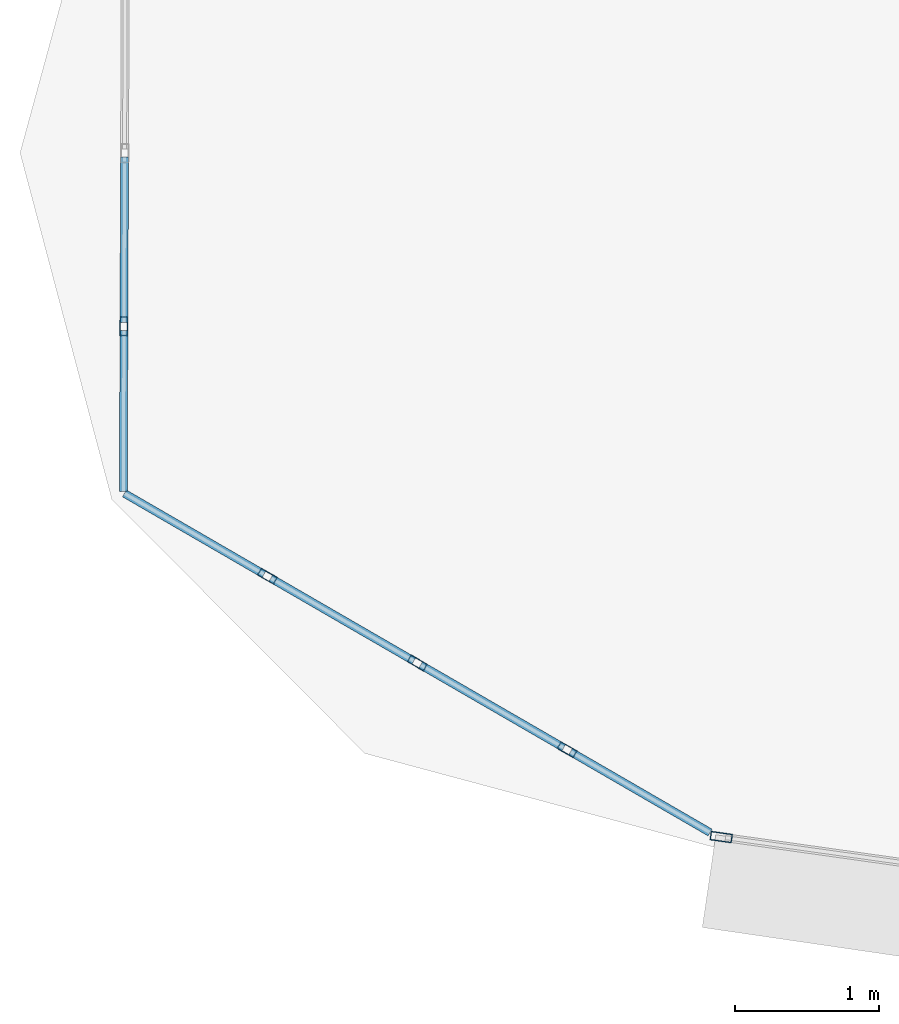
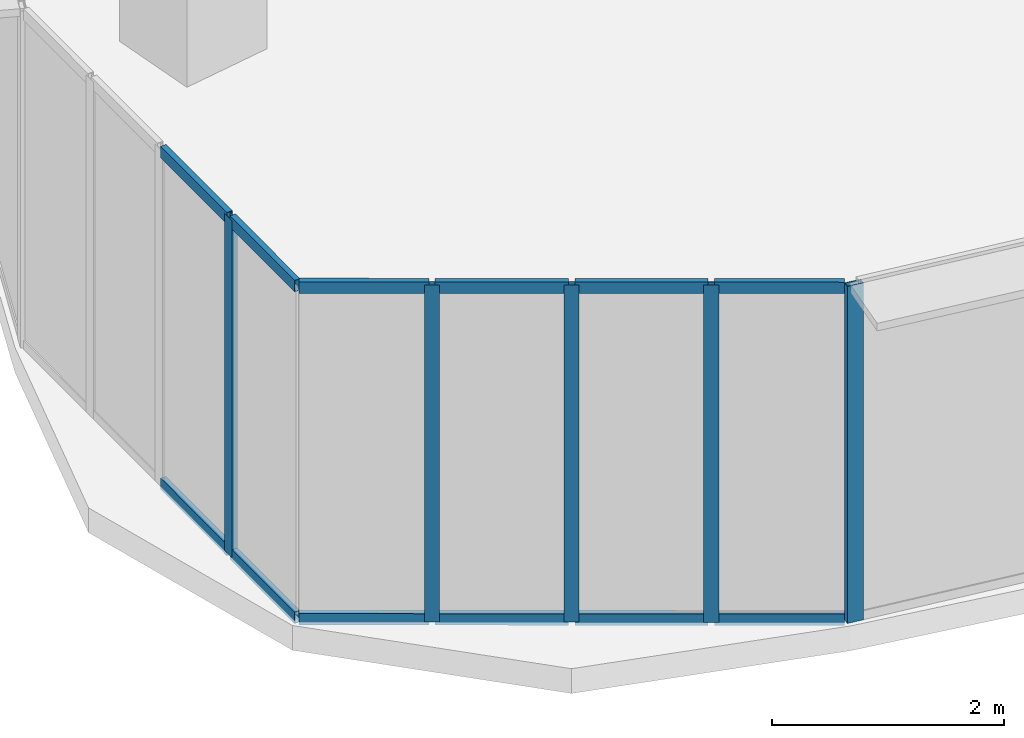
# One storey, part 2 of 40: 17 members, 3 elements without a shape of their own.
"""IFC4 building model written with IfcOpenShell, lengths in metres."""

from ifc_helpers import new_model, si_unit, direction, frame, origin, origin_2d, place, context, subcontext, project, spatial, hollow_rectangle, extrude, source, transform, mapped, material, layer, layer_set, material_profile, profile_set, type_object, element, aggregate, save


model = new_model("IFC4")

# Units and contexts
model_context = context("Model", 3, precision=1e-05, world=origin(), true_north=direction((0.0, 1.0)))
body_context = subcontext(model_context, "Body", "Model", "MODEL_VIEW")
ifc_project = project(units=[si_unit("LENGTHUNIT", "METRE"), si_unit("AREAUNIT", "SQUARE_METRE"), si_unit("VOLUMEUNIT", "CUBIC_METRE"), si_unit("PLANEANGLEUNIT", "RADIAN"), si_unit("MASSUNIT", "GRAM", prefix="KILO"), si_unit("THERMODYNAMICTEMPERATUREUNIT", "KELVIN"), si_unit("POWERUNIT", "WATT")], contexts=[model_context])

# Site, building, storey
site_placement = place(None, origin())
site = spatial("IfcSite", under=ifc_project, at=site_placement, CompositionType="ELEMENT")
building_placement = place(site_placement, origin())
building = spatial("IfcBuilding", under=site, at=building_placement, Name="Yunzhuo Pagoda Commons", CompositionType="ELEMENT")
storey_placement = place(building_placement, frame((0.0, 0.0, 180.9599609375)))
storey = spatial("IfcBuildingStorey", under=building, at=storey_placement, Name="L45", CompositionType="ELEMENT", Elevation=180.9599609375)

# Curtain wall, member
ifc_material = material(Name="Anodized aluminium 6063-T6", Category="aluminium")
ifc_layer_1 = layer(ifc_material, 0.1298828125)
ifc_layer_set_1 = layer_set([ifc_layer_1], Name="Anodized aluminium 6063-T6")
curtain_wall_type_1 = type_object("IfcCurtainWallType", Name="CW-VTX Rounded Corner Curtain Wall", PredefinedType="NOTDEFINED", material=ifc_layer_set_1)
curtain_wall_1_placement = place(storey_placement, origin())
curtain_wall_1 = element("IfcCurtainWall", 1, at=curtain_wall_1_placement, inside=storey, type_object=curtain_wall_type_1, Name="L45 curtain wall CW-L45-VTX1S1", PredefinedType="NOTDEFINED")
ifc_material_profile_1 = material_profile(ifc_material, hollow_rectangle(XDim=0.054931640625, YDim=0.1298828125, WallThickness=0.00341796875, at=origin_2d()), Name="Anodized aluminium 6063-T6")
ifc_profile_set_1 = profile_set([ifc_material_profile_1], Name="Anodized aluminium 6063-T6")
member_type_1 = type_object("IfcMemberType", Name="CW-VTX-M Mullion RHS 130x55x3.5", PredefinedType="MULLION", material=ifc_profile_set_1)
shared_shape_1 = source(origin(), body_context, "Body", "SweptSolid", [
    extrude(hollow_rectangle(XDim=0.054931640625, YDim=0.1298828125, WallThickness=0.00341796875, at=origin_2d()), origin(), (0.0, 0.0, 1.0), 3.5400390625),
])
member_1_placement = place(storey_placement, frame((9.262451171875, 20.725830078125, 0.0), z_axis=(0.0, 0.0, 1.0), x_axis=(0.99999359061, -0.003580326762, 0.0)))
member_1 = element("IfcMember", 2, at=member_1_placement, type_object=member_type_1, Name="CW mullion 4", PredefinedType="MULLION", context=body_context, shape_type="MappedRepresentation", body=[
    mapped(shared_shape_1, transform((0.0, 0.0, 0.0), scale=1.0)),
])

# Curtain wall, members
curtain_wall_2_placement = place(storey_placement, origin())
curtain_wall_2 = element("IfcCurtainWall", 3, at=curtain_wall_2_placement, inside=storey, type_object=curtain_wall_type_1, Name="L45 curtain wall CW-L45-VTX1S2", PredefinedType="NOTDEFINED")
member_2_placement = place(storey_placement, frame((10.257568359375, 18.99267578125, 0.0), z_axis=(0.0, 0.0, 1.0), x_axis=(0.501040373263, 0.865423910208, 0.0)))
member_2 = element("IfcMember", 4, at=member_2_placement, type_object=member_type_1, Name="CW mullion 2", PredefinedType="MULLION", context=body_context, shape_type="MappedRepresentation", body=[
    mapped(shared_shape_1, transform((0.0, 0.0, 0.0), scale=1.0)),
])
member_3_placement = place(storey_placement, frame((11.297119140625, 18.390869140625, 0.0), z_axis=(0.0, 0.0, 1.0), x_axis=(0.501040373263, 0.865423910208, 0.0)))
member_3 = element("IfcMember", 5, at=member_3_placement, type_object=member_type_1, Name="CW mullion 3", PredefinedType="MULLION", context=body_context, shape_type="MappedRepresentation", body=[
    mapped(shared_shape_1, transform((0.0, 0.0, 0.0), scale=1.0)),
])
member_4_placement = place(storey_placement, frame((12.33642578125, 17.789306640625, 0.0), z_axis=(0.0, 0.0, 1.0), x_axis=(0.501040373263, 0.865423910208, 0.0)))
member_4 = element("IfcMember", 6, at=member_4_placement, type_object=member_type_1, Name="CW mullion 4", PredefinedType="MULLION", context=body_context, shape_type="MappedRepresentation", body=[
    mapped(shared_shape_1, transform((0.0, 0.0, 0.0), scale=1.0)),
])

# Curtain wall, member
ifc_layer_2 = layer(ifc_material, 0.14990234375)
ifc_layer_set_2 = layer_set([ifc_layer_2], Name="Anodized aluminium 6063-T6")
curtain_wall_type_2 = type_object("IfcCurtainWallType", Name="CW-MID Mid-Zone Ribbon Curtain Wall", PredefinedType="NOTDEFINED", material=ifc_layer_set_2)
curtain_wall_3_placement = place(storey_placement, origin())
curtain_wall_3 = element("IfcCurtainWall", 7, at=curtain_wall_3_placement, inside=storey, type_object=curtain_wall_type_2, Name="L45 curtain wall CW-L45-F1B1", PredefinedType="NOTDEFINED")
ifc_material_profile_2 = material_profile(ifc_material, hollow_rectangle(XDim=0.06005859375, YDim=0.14990234375, WallThickness=0.00390625, at=origin_2d()), Name="Anodized aluminium 6063-T6")
ifc_profile_set_2 = profile_set([ifc_material_profile_2], Name="Anodized aluminium 6063-T6")
member_type_2 = type_object("IfcMemberType", Name="CW-MID-M Mullion RHS 150x60x4", PredefinedType="MULLION", material=ifc_profile_set_2)
shared_shape_2 = source(origin(), body_context, "Body", "SweptSolid", [
    extrude(hollow_rectangle(XDim=0.06005859375, YDim=0.14990234375, WallThickness=0.00390625, at=origin_2d()), origin(), (0.0, 0.0, 1.0), 3.5400390625),
])
member_5_placement = place(storey_placement, frame((13.405517578125, 17.183349609375, 0.0), z_axis=(0.0, 0.0, 1.0), x_axis=(0.139233100351, 0.990259634524, 0.0)))
member_5 = element("IfcMember", 8, at=member_5_placement, type_object=member_type_2, Name="CW mullion 1", PredefinedType="MULLION", context=body_context, shape_type="MappedRepresentation", body=[
    mapped(shared_shape_2, transform((0.0, 0.0, 0.0), scale=1.0)),
])
aggregate(curtain_wall_3, [member_5])

# Member
ifc_material_profile_3 = material_profile(ifc_material, hollow_rectangle(XDim=0.054931640625, YDim=0.1201171875, WallThickness=0.00341796875, at=origin_2d()), Name="Anodized aluminium 6063-T6")
ifc_profile_set_3 = profile_set([ifc_material_profile_3], Name="Anodized aluminium 6063-T6")
member_type_3 = type_object("IfcMemberType", Name="CW-VTX-T Transom RHS 120x55x3.5", PredefinedType="USERDEFINED", material=ifc_profile_set_3)
shared_shape_3 = source(origin(), body_context, "Body", "SweptSolid", [
    extrude(hollow_rectangle(XDim=0.054931640625, YDim=0.1201171875, WallThickness=0.00341796875, at=origin_2d()), origin(), (0.0, 0.0, 1.0), 1.14599609375),
])
member_6_placement = place(storey_placement, frame((9.2666015625, 21.8994140625, 0.027587890625), z_axis=(-0.003408586931, -0.999994190751, 0.0), x_axis=(0.999994190751, -0.003408586931, 0.0)))
member_6 = element("IfcMember", 9, at=member_6_placement, type_object=member_type_3, Name="CW transom 3.1", ObjectType="TRANSOM", PredefinedType="USERDEFINED", context=body_context, shape_type="MappedRepresentation", body=[
    mapped(shared_shape_3, transform((0.0, 0.0, 0.0), scale=1.0)),
])

member_7_placement = place(storey_placement, frame((9.2666015625, 21.8994140625, 3.512451171875), z_axis=(-0.003408586931, -0.999994190751, 0.0), x_axis=(0.999994190751, -0.003408586931, 0.0)))
member_7 = element("IfcMember", 10, at=member_7_placement, type_object=member_type_3, Name="CW transom 3.2", ObjectType="TRANSOM", PredefinedType="USERDEFINED", context=body_context, shape_type="MappedRepresentation", body=[
    mapped(shared_shape_3, transform((0.0, 0.0, 0.0), scale=1.0)),
])

member_8_placement = place(storey_placement, frame((11.32080078125, 18.377197265625, 0.027587890625), z_axis=(0.865542942623, -0.500834717722, 0.0), x_axis=(0.500834717722, 0.865542942623, 0.0)))
member_8 = element("IfcMember", 11, at=member_8_placement, type_object=member_type_3, Name="CW transom 3.1", ObjectType="TRANSOM", PredefinedType="USERDEFINED", context=body_context, shape_type="MappedRepresentation", body=[
    mapped(shared_shape_3, transform((0.0, 0.0, 0.0), scale=1.0)),
])

member_9_placement = place(storey_placement, frame((11.32080078125, 18.377197265625, 3.512451171875), z_axis=(0.865542942623, -0.500834717722, 0.0), x_axis=(0.500834717722, 0.865542942623, 0.0)))
member_9 = element("IfcMember", 12, at=member_9_placement, type_object=member_type_3, Name="CW transom 3.2", ObjectType="TRANSOM", PredefinedType="USERDEFINED", context=body_context, shape_type="MappedRepresentation", body=[
    mapped(shared_shape_3, transform((0.0, 0.0, 0.0), scale=1.0)),
])

shared_shape_4 = source(origin(), body_context, "Body", "SweptSolid", [
    extrude(hollow_rectangle(XDim=0.054931640625, YDim=0.1201171875, WallThickness=0.00341796875, at=origin_2d()), origin(), (0.0, 0.0, 1.0), 1.11865234375),
])
member_10_placement = place(storey_placement, frame((9.262451171875, 20.698486328125, 0.027587890625), z_axis=(-0.003710144696, -0.999993117389, 0.0), x_axis=(0.999993117389, -0.003710144696, 0.0)))
member_10 = element("IfcMember", 13, at=member_10_placement, type_object=member_type_3, Name="CW transom 4.1", ObjectType="TRANSOM", PredefinedType="USERDEFINED", context=body_context, shape_type="MappedRepresentation", body=[
    mapped(shared_shape_4, transform((0.0, 0.0, 0.0), scale=1.0)),
])

member_11_placement = place(storey_placement, frame((9.262451171875, 20.698486328125, 3.512451171875), z_axis=(-0.003710144696, -0.999993117389, 0.0), x_axis=(0.999993117389, -0.003710144696, 0.0)))
member_11 = element("IfcMember", 14, at=member_11_placement, type_object=member_type_3, Name="CW transom 4.2", ObjectType="TRANSOM", PredefinedType="USERDEFINED", context=body_context, shape_type="MappedRepresentation", body=[
    mapped(shared_shape_4, transform((0.0, 0.0, 0.0), scale=1.0)),
])

aggregate(curtain_wall_1, [member_1, member_6, member_7, member_10, member_11])

member_12_placement = place(storey_placement, frame((9.265869140625, 19.567138671875, 0.027587890625), z_axis=(0.865286801304, -0.501277120453, 0.0), x_axis=(0.501277120453, 0.865286801304, 0.0)))
member_12 = element("IfcMember", 15, at=member_12_placement, type_object=member_type_3, Name="CW transom 1.1", ObjectType="TRANSOM", PredefinedType="USERDEFINED", context=body_context, shape_type="MappedRepresentation", body=[
    mapped(shared_shape_4, transform((0.0, 0.0, 0.0), scale=1.0)),
])

member_13_placement = place(storey_placement, frame((9.265869140625, 19.567138671875, 3.512451171875), z_axis=(0.865286801304, -0.501277120453, 0.0), x_axis=(0.501277120453, 0.865286801304, 0.0)))
member_13 = element("IfcMember", 16, at=member_13_placement, type_object=member_type_3, Name="CW transom 1.2", ObjectType="TRANSOM", PredefinedType="USERDEFINED", context=body_context, shape_type="MappedRepresentation", body=[
    mapped(shared_shape_4, transform((0.0, 0.0, 0.0), scale=1.0)),
])

member_14_placement = place(storey_placement, frame((12.360107421875, 17.775390625, 0.027587890625), z_axis=(0.865381453688, -0.501113699286, 0.0), x_axis=(0.501113699286, 0.865381453688, 0.0)))
member_14 = element("IfcMember", 17, at=member_14_placement, type_object=member_type_3, Name="CW transom 4.1", ObjectType="TRANSOM", PredefinedType="USERDEFINED", context=body_context, shape_type="MappedRepresentation", body=[
    mapped(shared_shape_4, transform((0.0, 0.0, 0.0), scale=1.0)),
])

member_15_placement = place(storey_placement, frame((12.360107421875, 17.775390625, 3.512451171875), z_axis=(0.865381453688, -0.501113699286, 0.0), x_axis=(0.501113699286, 0.865381453688, 0.0)))
member_15 = element("IfcMember", 18, at=member_15_placement, type_object=member_type_3, Name="CW transom 4.2", ObjectType="TRANSOM", PredefinedType="USERDEFINED", context=body_context, shape_type="MappedRepresentation", body=[
    mapped(shared_shape_4, transform((0.0, 0.0, 0.0), scale=1.0)),
])

shared_shape_5 = source(origin(), body_context, "Body", "SweptSolid", [
    extrude(hollow_rectangle(XDim=0.054931640625, YDim=0.1201171875, WallThickness=0.00341796875, at=origin_2d()), origin(), (0.0, 0.0, 1.0), 1.145751953125),
])
member_16_placement = place(storey_placement, frame((10.281494140625, 18.978759765625, 0.027587890625), z_axis=(0.865489492245, -0.500927079337, 0.0), x_axis=(0.500927079337, 0.865489492245, 0.0)))
member_16 = element("IfcMember", 19, at=member_16_placement, type_object=member_type_3, Name="CW transom 2.1", ObjectType="TRANSOM", PredefinedType="USERDEFINED", context=body_context, shape_type="MappedRepresentation", body=[
    mapped(shared_shape_5, transform((0.0, 0.0, 0.0), scale=1.0)),
])

member_17_placement = place(storey_placement, frame((10.281494140625, 18.978759765625, 3.512451171875), z_axis=(0.865489492245, -0.500927079337, 0.0), x_axis=(0.500927079337, 0.865489492245, 0.0)))
member_17 = element("IfcMember", 20, at=member_17_placement, type_object=member_type_3, Name="CW transom 2.2", ObjectType="TRANSOM", PredefinedType="USERDEFINED", context=body_context, shape_type="MappedRepresentation", body=[
    mapped(shared_shape_5, transform((0.0, 0.0, 0.0), scale=1.0)),
])

aggregate(curtain_wall_2, [member_2, member_3, member_4, member_12, member_13, member_16, member_17, member_8, member_9, member_14, member_15])

save(model, "model.ifc")
